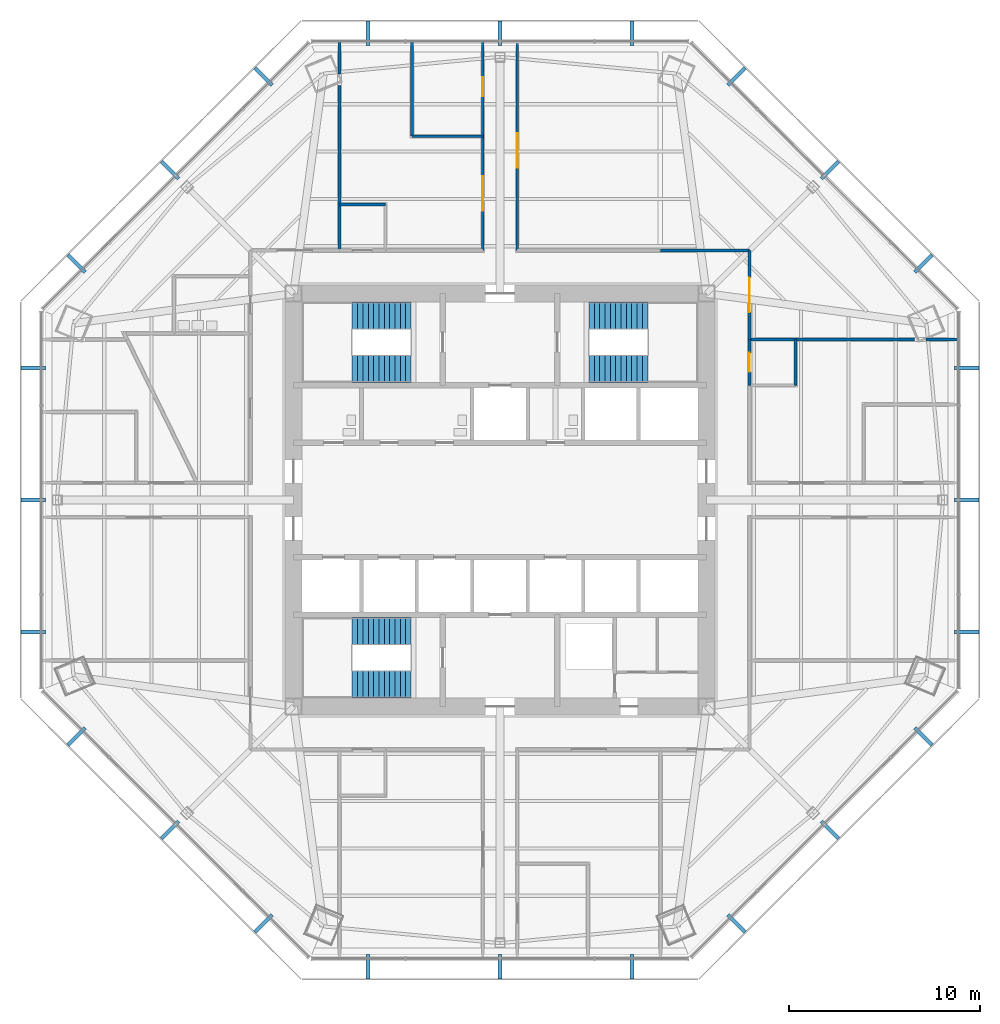
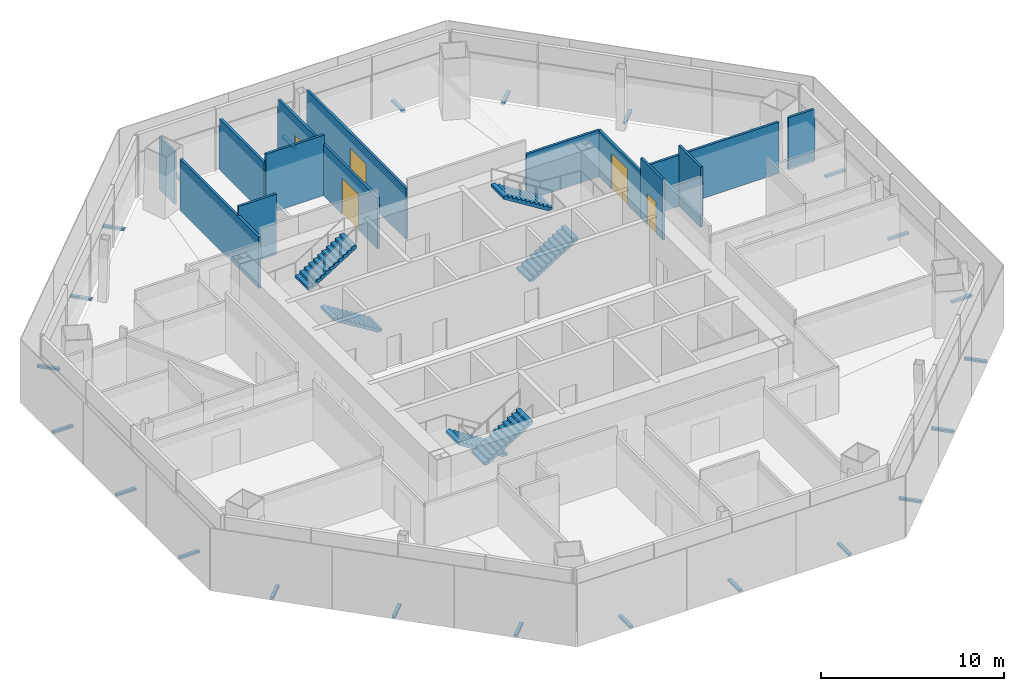
# One storey, part 11 of 14: 24 discrete accessories, 14 walls, 6 stair flights, 5 doors, 5 openings, 3 elements without a shape of their own.
"""IFC4 building model written with IfcOpenShell, lengths in metres."""

from ifc_helpers import new_model, si_unit, direction, frame, frame_2d, origin, origin_2d, place, context, subcontext, project, spatial, polyline, rectangle, outline, extrude, source, transform, mapped, material, layer, layer_set, type_object, type_shapes, element, fill, aggregate, save


model = new_model("IFC4")

# Units and contexts
model_context = context("Model", 3, precision=1e-05, world=origin(), true_north=direction((0.0, 1.0)))
body_context = subcontext(model_context, "Body", "Model", "MODEL_VIEW")
ifc_project = project(units=[si_unit("LENGTHUNIT", "METRE"), si_unit("AREAUNIT", "SQUARE_METRE"), si_unit("VOLUMEUNIT", "CUBIC_METRE"), si_unit("PLANEANGLEUNIT", "RADIAN"), si_unit("MASSUNIT", "GRAM", prefix="KILO")], contexts=[model_context])

# Site, building, storey
site_placement = place(None, origin())
site = spatial("IfcSite", under=ifc_project, at=site_placement, CompositionType="ELEMENT")
building_placement = place(site_placement, origin())
building = spatial("IfcBuilding", under=site, at=building_placement, Name="Mashrafa Tower", CompositionType="ELEMENT")
storey_placement = place(building_placement, frame((0.0, 0.0, 142.800048828125)))
storey = spatial("IfcBuildingStorey", under=building, at=storey_placement, Name="L32", CompositionType="ELEMENT", Elevation=142.800048828125)

# Wall, opening, door
ifc_material_1 = material(Name="Gypsum board on steel studs", Category="steel")
ifc_layer_1 = layer(ifc_material_1, 0.14990234375)
ifc_layer_set_1 = layer_set([ifc_layer_1], Name="Corridor partition 150 1 hr")
wall_type_1 = type_object("IfcWallType", Name="Corridor partition 150 1 hr", PredefinedType="PARTITIONING", material=ifc_layer_set_1)
wall_1_placement = place(storey_placement, frame((-0.89990234375, 23.958984375, 0.0), z_axis=(0.0, 0.0, 1.0), x_axis=(0.0, -1.0, 0.0)))
wall_1 = element("IfcWall", 1, at=wall_1_placement, inside=storey, type_object=wall_type_1, Name="Corridor wall L32-006", PredefinedType="PARTITIONING", context=body_context, shape_type="SweptSolid", body=[
    extrude(rectangle(XDim=4.934814453125, YDim=0.14990234375, at=frame_2d((2.46728515625, 0.0))), origin(), (0.0, 0.0, 1.0), 3.425537109375),
])
opening_1_placement = place(wall_1_placement, frame((1.849609375, 0.0, 0.0)))
opening_1 = element("IfcOpeningElement", 2, at=opening_1_placement, cuts=wall_1, Name="Opening 32.005", PredefinedType="OPENING", context=body_context, shape_type="SweptSolid", body=[
    extrude(rectangle(XDim=1.0, YDim=2.10009765625, at=frame_2d((0.5, 1.050048828125))), frame((0.0, 0.0849609375, 0.0), z_axis=(0.0, -1.0, 0.0), x_axis=(1.0, 0.0, 0.0)), (0.0, 0.0, 1.0), 0.169921875),
])
ifc_material_2 = material(Name="Timber door", Category="wood")
door_type_1 = type_object("IfcDoorType", Name="Door 1000 x 2100", OperationType="USERDEFINED", PredefinedType="DOOR", material=ifc_material_2)
door_1_placement = place(opening_1_placement, frame((1.0, 0.0, 0.0), z_axis=(0.0, 0.0, 1.0), x_axis=(-1.0, 0.0, 0.0)))
door_1 = element("IfcDoor", 3, at=door_1_placement, inside=storey, type_object=door_type_1, Name="Meeting Room 32-N door", OperationType="SINGLE_SWING_RIGHT", OverallHeight=2.10009765625, OverallWidth=1.0, PredefinedType="DOOR", context=body_context, shape_type="SweptSolid", body=[
    extrude(rectangle(XDim=1.0, YDim=2.10009765625, at=frame_2d((0.5, 1.050048828125))), frame((0.0, 0.02490234375, 0.0), z_axis=(0.0, -1.0, 0.0), x_axis=(1.0, 0.0, 0.0)), (0.0, 0.0, 1.0), 0.050048828125),
])
fill(opening_1, door_1)

wall_2_placement = place(storey_placement, frame((13.050048828125, 5.9990234375, 0.0), z_axis=(0.0, 0.0, 1.0), x_axis=(0.0, 1.0, 0.0)))
wall_2 = element("IfcWall", 4, at=wall_2_placement, inside=storey, type_object=wall_type_1, Name="Corridor wall L32-008", PredefinedType="PARTITIONING", context=body_context, shape_type="SweptSolid", body=[
    extrude(rectangle(XDim=2.40185546875, YDim=0.14990234375, at=frame_2d((1.200927734375, 0.0))), origin(), (0.0, 0.0, 1.0), 4.034912109375),
])
opening_2_placement = place(wall_2_placement, frame((0.700927734375, 0.0, 0.0)))
opening_2 = element("IfcOpeningElement", 5, at=opening_2_placement, cuts=wall_2, Name="Opening 32.007", PredefinedType="OPENING", context=body_context, shape_type="SweptSolid", body=[
    extrude(rectangle(XDim=1.0, YDim=2.10009765625, at=frame_2d((0.5, 1.050048828125))), frame((0.0, 0.0849609375, 0.0), z_axis=(0.0, -1.0, 0.0), x_axis=(1.0, 0.0, 0.0)), (0.0, 0.0, 1.0), 0.169921875),
])
door_2_placement = place(opening_2_placement, frame((1.0, 0.0, 0.0), z_axis=(0.0, 0.0, 1.0), x_axis=(-1.0, 0.0, 0.0)))
door_2 = element("IfcDoor", 6, at=door_2_placement, inside=storey, type_object=door_type_1, Name="Kitchenette 32-E door", OperationType="SINGLE_SWING_RIGHT", OverallHeight=2.10009765625, OverallWidth=1.0, PredefinedType="DOOR", context=body_context, shape_type="SweptSolid", body=[
    extrude(rectangle(XDim=1.0, YDim=2.10009765625, at=frame_2d((0.5, 1.050048828125))), frame((0.0, 0.02490234375, 0.0), z_axis=(0.0, -1.0, 0.0), x_axis=(1.0, 0.0, 0.0)), (0.0, 0.0, 1.0), 0.050048828125),
])
fill(opening_2, door_2)

wall_3_placement = place(storey_placement, frame((0.89990234375, 13.050048828125, 0.0), z_axis=(0.0, 0.0, 1.0), x_axis=(0.0, 1.0, 0.0)))
wall_3 = element("IfcWall", 7, at=wall_3_placement, inside=storey, type_object=wall_type_1, Name="Corridor wall L32-012", PredefinedType="PARTITIONING", context=body_context, shape_type="SweptSolid", body=[
    extrude(rectangle(XDim=10.908935546875, YDim=0.14990234375, at=frame_2d((5.45458984375, 0.0))), origin(), (0.0, 0.0, 1.0), 3.425537109375),
])
opening_3_placement = place(wall_3_placement, frame((4.337646484375, 0.0, 0.0)))
opening_3 = element("IfcOpeningElement", 8, at=opening_3_placement, cuts=wall_3, Name="Opening 32.010", PredefinedType="OPENING", context=body_context, shape_type="SweptSolid", body=[
    extrude(rectangle(XDim=1.800048828125, YDim=2.39990234375, at=frame_2d((0.89990234375, 1.199951171875))), frame((0.0, 0.0849609375, 0.0), z_axis=(0.0, -1.0, 0.0), x_axis=(1.0, 0.0, 0.0)), (0.0, 0.0, 1.0), 0.169921875),
])
ifc_material_3 = material(Name="Timber door", Category="wood")
door_type_2 = type_object("IfcDoorType", Name="Door pair 1800 x 2400", OperationType="DOUBLE_DOOR_SINGLE_SWING", PredefinedType="DOOR", material=ifc_material_3)
door_3_placement = place(opening_3_placement, frame((1.800048828125, 0.0, 0.0), z_axis=(0.0, 0.0, 1.0), x_axis=(-1.0, 0.0, 0.0)))
door_3 = element("IfcDoor", 9, at=door_3_placement, inside=storey, type_object=door_type_2, Name="Office Suite 32-NE12 door", OperationType="DOUBLE_DOOR_SINGLE_SWING", OverallHeight=2.39990234375, OverallWidth=1.800048828125, PredefinedType="DOOR", context=body_context, shape_type="SweptSolid", body=[
    extrude(rectangle(XDim=1.800048828125, YDim=2.39990234375, at=frame_2d((0.89990234375, 1.199951171875))), frame((0.0, 0.02490234375, 0.0), z_axis=(0.0, -1.0, 0.0), x_axis=(1.0, 0.0, 0.0)), (0.0, 0.0, 1.0), 0.050048828125),
])
fill(opening_3, door_3)

wall_4_placement = place(storey_placement, frame((13.050048828125, 8.39892578125, 0.0), z_axis=(0.0, 0.0, 1.0), x_axis=(0.0, 1.0, 0.0)))
wall_4 = element("IfcWall", 10, at=wall_4_placement, inside=storey, type_object=wall_type_1, Name="Corridor wall L32-015", PredefinedType="PARTITIONING", context=body_context, shape_type="SweptSolid", body=[
    extrude(rectangle(XDim=4.651123046875, YDim=0.14990234375, at=frame_2d((2.32568359375, 0.0))), origin(), (0.0, 0.0, 1.0), 3.097900390625),
])
opening_4_placement = place(wall_4_placement, frame((1.425537109375, 0.0, 0.0)))
opening_4 = element("IfcOpeningElement", 11, at=opening_4_placement, cuts=wall_4, Name="Opening 32.012", PredefinedType="OPENING", context=body_context, shape_type="SweptSolid", body=[
    extrude(rectangle(XDim=1.800048828125, YDim=2.39990234375, at=frame_2d((0.89990234375, 1.199951171875))), frame((0.0, 0.0849609375, 0.0), z_axis=(0.0, -1.0, 0.0), x_axis=(1.0, 0.0, 0.0)), (0.0, 0.0, 1.0), 0.169921875),
])
door_4_placement = place(opening_4_placement, frame((1.800048828125, 0.0, 0.0), z_axis=(0.0, 0.0, 1.0), x_axis=(-1.0, 0.0, 0.0)))
door_4 = element("IfcDoor", 12, at=door_4_placement, inside=storey, type_object=door_type_2, Name="Office Suite 32-NE22 door", OperationType="DOUBLE_DOOR_SINGLE_SWING", OverallHeight=2.39990234375, OverallWidth=1.800048828125, PredefinedType="DOOR", context=body_context, shape_type="SweptSolid", body=[
    extrude(rectangle(XDim=1.800048828125, YDim=2.39990234375, at=frame_2d((0.89990234375, 1.199951171875))), frame((0.0, 0.02490234375, 0.0), z_axis=(0.0, -1.0, 0.0), x_axis=(1.0, 0.0, 0.0)), (0.0, 0.0, 1.0), 0.050048828125),
])
fill(opening_4, door_4)

# Wall
wall_5_placement = place(storey_placement, frame((13.050048828125, 13.050048828125, 0.0), z_axis=(0.0, 0.0, 1.0), x_axis=(-1.0, 0.0, 0.0)))
element("IfcWall", 13, at=wall_5_placement, inside=storey, type_object=wall_type_1, Name="Corridor wall L32-016", PredefinedType="PARTITIONING", context=body_context, shape_type="SweptSolid", body=[
    extrude(rectangle(XDim=4.651123046875, YDim=0.14990234375, at=frame_2d((2.32568359375, 0.0))), origin(), (0.0, 0.0, 1.0), 3.097900390625),
])

# Wall, opening, door
wall_6_placement = place(storey_placement, frame((-0.89990234375, 19.026123046875, 0.0), z_axis=(0.0, 0.0, 1.0), x_axis=(0.0, -1.0, 0.0)))
wall_6 = element("IfcWall", 14, at=wall_6_placement, inside=storey, type_object=wall_type_1, Name="Corridor wall L32-017", PredefinedType="PARTITIONING", context=body_context, shape_type="SweptSolid", body=[
    extrude(rectangle(XDim=5.97607421875, YDim=0.14990234375, at=frame_2d((2.988037109375, 0.0))), origin(), (0.0, 0.0, 1.0), 3.425537109375),
])
opening_5_placement = place(wall_6_placement, frame((2.088134765625, 0.0, 0.0)))
opening_5 = element("IfcOpeningElement", 15, at=opening_5_placement, cuts=wall_6, Name="Opening 32.013", PredefinedType="OPENING", context=body_context, shape_type="SweptSolid", body=[
    extrude(rectangle(XDim=1.800048828125, YDim=2.39990234375, at=frame_2d((0.89990234375, 1.199951171875))), frame((0.0, 0.0849609375, 0.0), z_axis=(0.0, -1.0, 0.0), x_axis=(1.0, 0.0, 0.0)), (0.0, 0.0, 1.0), 0.169921875),
])
door_5_placement = place(opening_5_placement, frame((1.800048828125, 0.0, 0.0), z_axis=(0.0, 0.0, 1.0), x_axis=(-1.0, 0.0, 0.0)))
door_5 = element("IfcDoor", 16, at=door_5_placement, inside=storey, type_object=door_type_2, Name="Office Suite 32-NW12 door", OperationType="DOUBLE_DOOR_SINGLE_SWING", OverallHeight=2.39990234375, OverallWidth=1.800048828125, PredefinedType="DOOR", context=body_context, shape_type="SweptSolid", body=[
    extrude(rectangle(XDim=1.800048828125, YDim=2.39990234375, at=frame_2d((0.89990234375, 1.199951171875))), frame((0.0, 0.02490234375, 0.0), z_axis=(0.0, -1.0, 0.0), x_axis=(1.0, 0.0, 0.0)), (0.0, 0.0, 1.0), 0.050048828125),
])
fill(opening_5, door_5)

# Walls
ifc_material_4 = material(Name="Gypsum board on steel studs", Category="steel")
ifc_layer_2 = layer(ifc_material_4, 0.14990234375)
ifc_layer_set_2 = layer_set([ifc_layer_2], Name="Partition 150")
wall_type_2 = type_object("IfcWallType", Name="Partition 150", PredefinedType="PARTITIONING", material=ifc_layer_set_2)
wall_7_placement = place(storey_placement, frame((-4.60009765625, 23.95703125, 0.0), z_axis=(0.0, 0.0, 1.0), x_axis=(0.0, -1.0, 0.0)))
element("IfcWall", 17, at=wall_7_placement, inside=storey, type_object=wall_type_2, Name="Partition wall L32-044", PredefinedType="PARTITIONING", context=body_context, shape_type="SweptSolid", body=[
    extrude(rectangle(XDim=4.931884765625, YDim=0.14990234375, at=frame_2d((2.4658203125, 0.0))), origin(), (0.0, 0.0, 1.0), 3.425537109375),
])
wall_8_placement = place(storey_placement, frame((-4.60009765625, 19.025146484375, 0.0), z_axis=(0.0, 0.0, 1.0), x_axis=(1.0, 0.0, 0.0)))
element("IfcWall", 18, at=wall_8_placement, inside=storey, type_object=wall_type_2, Name="Partition wall L32-045", PredefinedType="PARTITIONING", context=body_context, shape_type="SweptSolid", body=[
    extrude(rectangle(XDim=3.7001953125, YDim=0.14990234375, at=frame_2d((1.85009765625, 0.0))), origin(), (0.0, 0.0, 1.0), 4.034912109375),
])
wall_9_placement = place(storey_placement, frame((15.449951171875, 6.0, 0.0), z_axis=(0.0, 0.0, 1.0), x_axis=(0.0, 1.0, 0.0)))
element("IfcWall", 19, at=wall_9_placement, inside=storey, type_object=wall_type_2, Name="Partition wall L32-049", PredefinedType="PARTITIONING", context=body_context, shape_type="SweptSolid", body=[
    extrude(rectangle(XDim=2.39990234375, YDim=0.14990234375, at=frame_2d((1.199951171875, 0.0))), origin(), (0.0, 0.0, 1.0), 4.034912109375),
])
wall_10_placement = place(storey_placement, frame((13.050048828125, 8.39990234375, 0.0), z_axis=(0.0, 0.0, 1.0), x_axis=(1.0, 0.0, 0.0)))
element("IfcWall", 20, at=wall_10_placement, inside=storey, type_object=wall_type_2, Name="Partition wall L32-050", PredefinedType="PARTITIONING", context=body_context, shape_type="SweptSolid", body=[
    extrude(rectangle(XDim=8.62109375, YDim=0.14990234375, at=frame_2d((4.310546875, 0.0))), origin(), (0.0, 0.0, 1.0), 3.425537109375),
])
wall_11_placement = place(storey_placement, frame((-6.0, 15.449951171875, 0.0), z_axis=(0.0, 0.0, 1.0), x_axis=(-1.0, 0.0, 0.0)))
element("IfcWall", 21, at=wall_11_placement, inside=storey, type_object=wall_type_2, Name="Partition wall L32-052", PredefinedType="PARTITIONING", context=body_context, shape_type="SweptSolid", body=[
    extrude(rectangle(XDim=2.39990234375, YDim=0.14990234375, at=frame_2d((1.199951171875, 0.0))), origin(), (0.0, 0.0, 1.0), 4.034912109375),
])
wall_12_placement = place(storey_placement, frame((-8.39990234375, 13.050048828125, 0.0), z_axis=(0.0, 0.0, 1.0), x_axis=(0.0, 1.0, 0.0)))
element("IfcWall", 22, at=wall_12_placement, inside=storey, type_object=wall_type_2, Name="Partition wall L32-053", PredefinedType="PARTITIONING", context=body_context, shape_type="SweptSolid", body=[
    extrude(rectangle(XDim=8.62109375, YDim=0.14990234375, at=frame_2d((4.310546875, 0.0))), origin(), (0.0, 0.0, 1.0), 3.425537109375),
])
for number, where, z_axis, x_axis, name in (
    (23, (23.95703125, 8.39990234375, 0.0), (0.0, 0.0, 1.0), (-1.0, 0.0, 0.0), "Partition wall L32-057"),
    (24, (-8.39990234375, 23.95703125, 0.0), (0.0, 0.0, 1.0), (0.0, -1.0, 0.0), "Partition wall L32-059"),
):
    element("IfcWall", number, at=place(storey_placement, frame(where, z_axis=z_axis, x_axis=x_axis)), inside=storey, type_object=wall_type_2, Name=name, PredefinedType="PARTITIONING", context=body_context, shape_type="SweptSolid", body=[
        extrude(rectangle(XDim=1.668212890625, YDim=0.14990234375, at=frame_2d((0.833984375, 0.0))), origin(), (0.0, 0.0, 1.0), 3.499267578125),
    ])

# Stair, stair flights
ifc_material_5 = material(Name="Exit stair 1400")
stair_type = type_object("IfcStairType", Name="Exit stair 1400", PredefinedType="HALF_TURN_STAIR", material=ifc_material_5)
stair_1_placement = place(storey_placement, origin())
stair_1 = element("IfcStair", 25, at=stair_1_placement, inside=storey, type_object=stair_type, Name="Stair S1 L32", PredefinedType="HALF_TURN_STAIR")
ifc_material_6 = material(Name="Concrete C32/40", Category="concrete")
stair_flight_type = type_object("IfcStairFlightType", Name="Stair flight 1400", PredefinedType="STRAIGHT", material=ifc_material_6)
stair_flight_1_placement = place(storey_placement, frame((-4.64990234375, 6.85009765625, 0.0), z_axis=(0.0, 0.0, 1.0), x_axis=(-1.0, 0.0, 0.0)))
stair_flight_1 = element("IfcStairFlight", 26, at=stair_flight_1_placement, type_object=stair_flight_type, Name="S1 flight 1", NumberOfRisers=12, NumberOfTreads=11, PredefinedType="STRAIGHT", RiserHeight=0.175, TreadLength=0.28, context=body_context, shape_type="SweptSolid", body=[
    extrude(outline(polyline([(0.0, 0.0), (0.0, 0.175048828125), (0.280029296875, 0.175048828125), (0.280029296875, 0.35009765625), (0.56005859375, 0.35009765625), (0.56005859375, 0.52490234375), (0.840087890625, 0.52490234375), (0.840087890625, 0.699951171875), (1.1201171875, 0.699951171875), (1.1201171875, 0.875), (1.39990234375, 0.875), (1.39990234375, 1.050048828125), (1.679931640625, 1.050048828125), (1.679931640625, 1.22509765625), (1.9599609375, 1.22509765625), (1.9599609375, 1.39990234375), (2.239990234375, 1.39990234375), (2.239990234375, 1.574951171875), (2.52001953125, 1.574951171875), (2.52001953125, 1.75), (2.800048828125, 1.75), (2.800048828125, 1.925048828125), (3.080078125, 1.925048828125), (3.080078125, 2.10009765625), (3.080078125, 1.748291015625), (0.28271484375, 0.0), (0.0, 0.0)])), frame((0.0, 0.699951171875, 0.0), z_axis=(0.0, -1.0, 0.0), x_axis=(1.0, 0.0, 0.0)), (0.0, 0.0, 1.0), 1.39990234375),
])
stair_flight_2_placement = place(storey_placement, frame((-7.72998046875, 9.64990234375, 2.099853515625), z_axis=(0.0, 0.0, 1.0), x_axis=(1.0, 0.0, 0.0)))
stair_flight_2 = element("IfcStairFlight", 27, at=stair_flight_2_placement, type_object=stair_flight_type, Name="S1 flight 2", NumberOfRisers=12, NumberOfTreads=11, PredefinedType="STRAIGHT", RiserHeight=0.175, TreadLength=0.28, context=body_context, shape_type="SweptSolid", body=[
    extrude(outline(polyline([(0.0, 0.0), (0.0, 0.175048828125), (0.280029296875, 0.175048828125), (0.280029296875, 0.35009765625), (0.56005859375, 0.35009765625), (0.56005859375, 0.52490234375), (0.840087890625, 0.52490234375), (0.840087890625, 0.699951171875), (1.1201171875, 0.699951171875), (1.1201171875, 0.875), (1.39990234375, 0.875), (1.39990234375, 1.050048828125), (1.679931640625, 1.050048828125), (1.679931640625, 1.22509765625), (1.9599609375, 1.22509765625), (1.9599609375, 1.39990234375), (2.239990234375, 1.39990234375), (2.239990234375, 1.574951171875), (2.52001953125, 1.574951171875), (2.52001953125, 1.75), (2.800048828125, 1.75), (2.800048828125, 1.925048828125), (3.080078125, 1.925048828125), (3.080078125, 2.10009765625), (3.080078125, 1.748291015625), (0.28271484375, 0.0), (0.0, 0.0)])), frame((0.0, 0.699951171875, 0.0), z_axis=(0.0, -1.0, 0.0), x_axis=(1.0, 0.0, 0.0)), (0.0, 0.0, 1.0), 1.39990234375),
])
aggregate(stair_1, [stair_flight_1, stair_flight_2])

stair_2_placement = place(storey_placement, origin())
stair_2 = element("IfcStair", 28, at=stair_2_placement, inside=storey, type_object=stair_type, Name="Stair S2 L32", PredefinedType="HALF_TURN_STAIR")
stair_flight_3_placement = place(storey_placement, frame((4.64990234375, 6.85009765625, 0.0), z_axis=(0.0, 0.0, 1.0), x_axis=(1.0, 0.0, 0.0)))
stair_flight_3 = element("IfcStairFlight", 29, at=stair_flight_3_placement, type_object=stair_flight_type, Name="S2 flight 1", NumberOfRisers=12, NumberOfTreads=11, PredefinedType="STRAIGHT", RiserHeight=0.175, TreadLength=0.28, context=body_context, shape_type="SweptSolid", body=[
    extrude(outline(polyline([(0.0, 0.0), (0.0, 0.175048828125), (0.280029296875, 0.175048828125), (0.280029296875, 0.35009765625), (0.56005859375, 0.35009765625), (0.56005859375, 0.52490234375), (0.840087890625, 0.52490234375), (0.840087890625, 0.699951171875), (1.1201171875, 0.699951171875), (1.1201171875, 0.875), (1.39990234375, 0.875), (1.39990234375, 1.050048828125), (1.679931640625, 1.050048828125), (1.679931640625, 1.22509765625), (1.9599609375, 1.22509765625), (1.9599609375, 1.39990234375), (2.239990234375, 1.39990234375), (2.239990234375, 1.574951171875), (2.52001953125, 1.574951171875), (2.52001953125, 1.75), (2.800048828125, 1.75), (2.800048828125, 1.925048828125), (3.080078125, 1.925048828125), (3.080078125, 2.10009765625), (3.080078125, 1.748291015625), (0.28271484375, 0.0), (0.0, 0.0)])), frame((0.0, 0.699951171875, 0.0), z_axis=(0.0, -1.0, 0.0), x_axis=(1.0, 0.0, 0.0)), (0.0, 0.0, 1.0), 1.39990234375),
])
stair_flight_4_placement = place(storey_placement, frame((7.72998046875, 9.64990234375, 2.099853515625), z_axis=(0.0, 0.0, 1.0), x_axis=(-1.0, 0.0, 0.0)))
stair_flight_4 = element("IfcStairFlight", 30, at=stair_flight_4_placement, type_object=stair_flight_type, Name="S2 flight 2", NumberOfRisers=12, NumberOfTreads=11, PredefinedType="STRAIGHT", RiserHeight=0.175, TreadLength=0.28, context=body_context, shape_type="SweptSolid", body=[
    extrude(outline(polyline([(0.0, 0.0), (0.0, 0.175048828125), (0.280029296875, 0.175048828125), (0.280029296875, 0.35009765625), (0.56005859375, 0.35009765625), (0.56005859375, 0.52490234375), (0.840087890625, 0.52490234375), (0.840087890625, 0.699951171875), (1.1201171875, 0.699951171875), (1.1201171875, 0.875), (1.39990234375, 0.875), (1.39990234375, 1.050048828125), (1.679931640625, 1.050048828125), (1.679931640625, 1.22509765625), (1.9599609375, 1.22509765625), (1.9599609375, 1.39990234375), (2.239990234375, 1.39990234375), (2.239990234375, 1.574951171875), (2.52001953125, 1.574951171875), (2.52001953125, 1.75), (2.800048828125, 1.75), (2.800048828125, 1.925048828125), (3.080078125, 1.925048828125), (3.080078125, 2.10009765625), (3.080078125, 1.748291015625), (0.28271484375, 0.0), (0.0, 0.0)])), frame((0.0, 0.699951171875, 0.0), z_axis=(0.0, -1.0, 0.0), x_axis=(1.0, 0.0, 0.0)), (0.0, 0.0, 1.0), 1.39990234375),
])
aggregate(stair_2, [stair_flight_3, stair_flight_4])

stair_3_placement = place(storey_placement, origin())
stair_3 = element("IfcStair", 31, at=stair_3_placement, inside=storey, type_object=stair_type, Name="Stair S3 L32", PredefinedType="HALF_TURN_STAIR")
stair_flight_5_placement = place(storey_placement, frame((-4.64990234375, -6.85009765625, 0.0), z_axis=(0.0, 0.0, 1.0), x_axis=(-1.0, 0.0, 0.0)))
stair_flight_5 = element("IfcStairFlight", 32, at=stair_flight_5_placement, type_object=stair_flight_type, Name="S3 flight 1", NumberOfRisers=12, NumberOfTreads=11, PredefinedType="STRAIGHT", RiserHeight=0.175, TreadLength=0.28, context=body_context, shape_type="SweptSolid", body=[
    extrude(outline(polyline([(0.0, 0.0), (0.0, 0.175048828125), (0.280029296875, 0.175048828125), (0.280029296875, 0.35009765625), (0.56005859375, 0.35009765625), (0.56005859375, 0.52490234375), (0.840087890625, 0.52490234375), (0.840087890625, 0.699951171875), (1.1201171875, 0.699951171875), (1.1201171875, 0.875), (1.39990234375, 0.875), (1.39990234375, 1.050048828125), (1.679931640625, 1.050048828125), (1.679931640625, 1.22509765625), (1.9599609375, 1.22509765625), (1.9599609375, 1.39990234375), (2.239990234375, 1.39990234375), (2.239990234375, 1.574951171875), (2.52001953125, 1.574951171875), (2.52001953125, 1.75), (2.800048828125, 1.75), (2.800048828125, 1.925048828125), (3.080078125, 1.925048828125), (3.080078125, 2.10009765625), (3.080078125, 1.748291015625), (0.28271484375, 0.0), (0.0, 0.0)])), frame((0.0, 0.699951171875, 0.0), z_axis=(0.0, -1.0, 0.0), x_axis=(1.0, 0.0, 0.0)), (0.0, 0.0, 1.0), 1.39990234375),
])
stair_flight_6_placement = place(storey_placement, frame((-7.72998046875, -9.64990234375, 2.099853515625), z_axis=(0.0, 0.0, 1.0), x_axis=(1.0, 0.0, 0.0)))
stair_flight_6 = element("IfcStairFlight", 33, at=stair_flight_6_placement, type_object=stair_flight_type, Name="S3 flight 2", NumberOfRisers=12, NumberOfTreads=11, PredefinedType="STRAIGHT", RiserHeight=0.175, TreadLength=0.28, context=body_context, shape_type="SweptSolid", body=[
    extrude(outline(polyline([(0.0, 0.0), (0.0, 0.175048828125), (0.280029296875, 0.175048828125), (0.280029296875, 0.35009765625), (0.56005859375, 0.35009765625), (0.56005859375, 0.52490234375), (0.840087890625, 0.52490234375), (0.840087890625, 0.699951171875), (1.1201171875, 0.699951171875), (1.1201171875, 0.875), (1.39990234375, 0.875), (1.39990234375, 1.050048828125), (1.679931640625, 1.050048828125), (1.679931640625, 1.22509765625), (1.9599609375, 1.22509765625), (1.9599609375, 1.39990234375), (2.239990234375, 1.39990234375), (2.239990234375, 1.574951171875), (2.52001953125, 1.574951171875), (2.52001953125, 1.75), (2.800048828125, 1.75), (2.800048828125, 1.925048828125), (3.080078125, 1.925048828125), (3.080078125, 2.10009765625), (3.080078125, 1.748291015625), (0.28271484375, 0.0), (0.0, 0.0)])), frame((0.0, 0.699951171875, 0.0), z_axis=(0.0, -1.0, 0.0), x_axis=(1.0, 0.0, 0.0)), (0.0, 0.0, 1.0), 1.39990234375),
])
aggregate(stair_3, [stair_flight_5, stair_flight_6])

# Discrete accessories
ifc_material_7 = material(Name="Stainless steel screen bracket", Category="steel")
discrete_accessory_type = type_object("IfcDiscreteAccessoryType", Name="Screen support bracket 200 x 150", PredefinedType="BRACKET", material=ifc_material_7)
shared_shape = source(origin(), body_context, "Body", "SweptSolid", [
    extrude(rectangle(XDim=0.199951171875, YDim=1.27001953125, at=origin_2d()), origin(), (0.0, 0.0, 1.0), 0.14990234375),
])
type_shapes(discrete_accessory_type, [shared_shape])
for number, where, z_axis, x_axis, name in (
    (34, (24.41015625, -6.909423828125, -0.14990234375), (0.0, 0.0, 1.0), (0.0, 1.0, 0.0), "Screen support bracket L32 east 1"),
    (35, (24.41015625, 0.0, -0.14990234375), (0.0, 0.0, 1.0), (0.0, 1.0, 0.0), "Screen support bracket L32 east 2"),
    (36, (24.41015625, 6.909423828125, -0.14990234375), (0.0, 0.0, 1.0), (0.0, 1.0, 0.0), "Screen support bracket L32 east 3"),
    (37, (22.146240234375, 12.375, -0.14990234375), (0.0, 0.0, 1.0), (-0.707106781187, 0.707106781187, 0.0), "Screen support bracket L32 north-east 1"),
    (38, (17.260498046875, 17.260498046875, -0.14990234375), (0.0, 0.0, 1.0), (-0.707106781187, 0.707106781187, 0.0), "Screen support bracket L32 north-east 2"),
    (39, (12.375, 22.146240234375, -0.14990234375), (0.0, 0.0, 1.0), (-0.707106781187, 0.707106781187, 0.0), "Screen support bracket L32 north-east 3"),
    (40, (6.909423828125, 24.41015625, -0.14990234375), (0.0, 0.0, 1.0), (-1.0, 0.0, 0.0), "Screen support bracket L32 north 1"),
    (41, (0.0, 24.41015625, -0.14990234375), (0.0, 0.0, 1.0), (-1.0, 0.0, 0.0), "Screen support bracket L32 north 2"),
    (42, (-6.909423828125, 24.41015625, -0.14990234375), (0.0, 0.0, 1.0), (-1.0, 0.0, 0.0), "Screen support bracket L32 north 3"),
    (43, (-12.375, 22.146240234375, -0.14990234375), (0.0, 0.0, 1.0), (-0.707106781187, -0.707106781187, 0.0), "Screen support bracket L32 north-west 1"),
    (44, (-17.260498046875, 17.260498046875, -0.14990234375), (0.0, 0.0, 1.0), (-0.707106781187, -0.707106781187, 0.0), "Screen support bracket L32 north-west 2"),
    (45, (-22.146240234375, 12.375, -0.14990234375), (0.0, 0.0, 1.0), (-0.707106781187, -0.707106781187, 0.0), "Screen support bracket L32 north-west 3"),
    (46, (-24.41015625, 6.909423828125, -0.14990234375), (0.0, 0.0, 1.0), (0.0, -1.0, 0.0), "Screen support bracket L32 west 1"),
    (47, (-24.41015625, 0.0, -0.14990234375), (0.0, 0.0, 1.0), (0.0, -1.0, 0.0), "Screen support bracket L32 west 2"),
    (48, (-24.41015625, -6.909423828125, -0.14990234375), (0.0, 0.0, 1.0), (0.0, -1.0, 0.0), "Screen support bracket L32 west 3"),
    (49, (-22.146240234375, -12.375, -0.14990234375), (0.0, 0.0, 1.0), (0.707106781187, -0.707106781187, 0.0), "Screen support bracket L32 south-west 1"),
    (50, (-17.260498046875, -17.260498046875, -0.14990234375), (0.0, 0.0, 1.0), (0.707106781187, -0.707106781187, 0.0), "Screen support bracket L32 south-west 2"),
    (51, (-12.375, -22.146240234375, -0.14990234375), (0.0, 0.0, 1.0), (0.707106781187, -0.707106781187, 0.0), "Screen support bracket L32 south-west 3"),
    (52, (-6.909423828125, -24.41015625, -0.14990234375), (0.0, 0.0, 1.0), (1.0, 0.0, 0.0), "Screen support bracket L32 south 1"),
    (53, (0.0, -24.41015625, -0.14990234375), (0.0, 0.0, 1.0), (1.0, 0.0, 0.0), "Screen support bracket L32 south 2"),
    (54, (6.909423828125, -24.41015625, -0.14990234375), (0.0, 0.0, 1.0), (1.0, 0.0, 0.0), "Screen support bracket L32 south 3"),
    (55, (12.375, -22.146240234375, -0.14990234375), (0.0, 0.0, 1.0), (0.707106781187, 0.707106781187, 0.0), "Screen support bracket L32 south-east 1"),
    (56, (17.260498046875, -17.260498046875, -0.14990234375), (0.0, 0.0, 1.0), (0.707106781187, 0.707106781187, 0.0), "Screen support bracket L32 south-east 2"),
    (57, (22.146240234375, -12.375, -0.14990234375), (0.0, 0.0, 1.0), (0.707106781187, 0.707106781187, 0.0), "Screen support bracket L32 south-east 3"),
):
    element("IfcDiscreteAccessory", number, at=place(storey_placement, frame(where, z_axis=z_axis, x_axis=x_axis)), inside=storey, type_object=discrete_accessory_type, Name=name, PredefinedType="BRACKET", context=body_context, shape_type="MappedRepresentation", body=[
        mapped(shared_shape, transform((0.0, 0.0, 0.0))),
    ])

save(model, "model.ifc")
